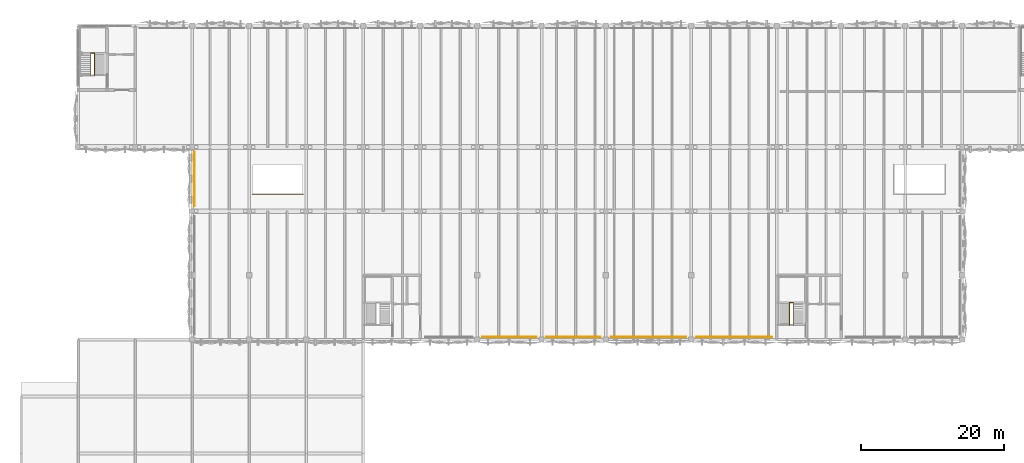
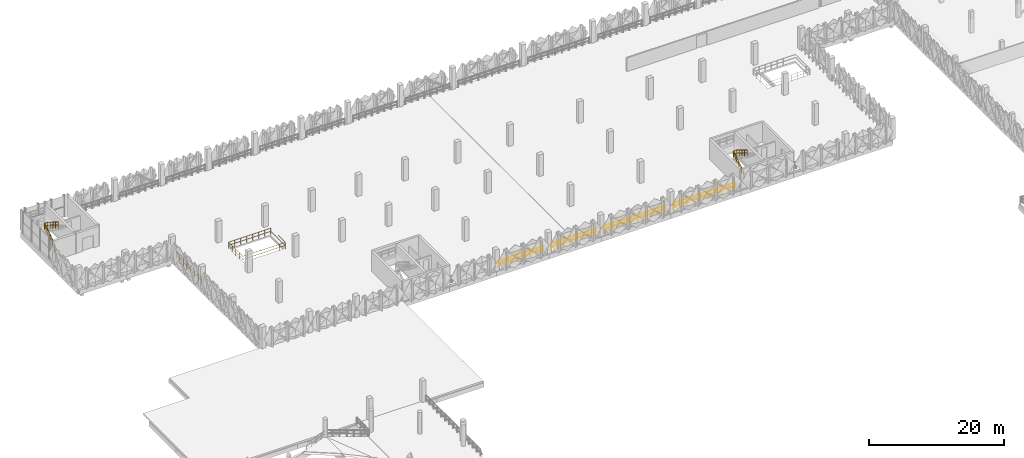
# One storey, part 69 of 76: 8 railings.
"""IFC4 building model written with IfcOpenShell, lengths in metres."""

from ifc_helpers import new_model, si_unit, derived_unit, direction, frame, origin, origin_2d, place, context, subcontext, project, spatial, circle, extrude, material, type_object, element, save


model = new_model("IFC4")

# Units and contexts
model_context = context("Model", 3, precision=1e-05, world=origin(), true_north=direction((0.0, 1.0)))
body_context = subcontext(model_context, "Body", "Model", "MODEL_VIEW")
ifc_project = project(units=[si_unit("LENGTHUNIT", "METRE"), si_unit("AREAUNIT", "SQUARE_METRE"), si_unit("VOLUMEUNIT", "CUBIC_METRE"), si_unit("PLANEANGLEUNIT", "RADIAN"), si_unit("MASSUNIT", "GRAM", prefix="KILO"), si_unit("THERMODYNAMICTEMPERATUREUNIT", "KELVIN"), derived_unit("THERMALTRANSMITTANCEUNIT", [(si_unit("POWERUNIT", "WATT"), 1), (si_unit("AREAUNIT", "SQUARE_METRE"), -1), (si_unit("THERMODYNAMICTEMPERATUREUNIT", "KELVIN"), -1)])], contexts=[model_context])

# Site, building, storey
site_placement = place(None, origin())
site = spatial("IfcSite", under=ifc_project, at=site_placement, CompositionType="ELEMENT")
building_placement = place(site_placement, origin())
building = spatial("IfcBuilding", under=site, at=building_placement, Name="Haiyu Intermodal Mobility Hub", CompositionType="ELEMENT")
storey_placement = place(building_placement, frame((0.0, 0.0, 17.300048828125)))
storey = spatial("IfcBuildingStorey", under=building, at=storey_placement, Name="L04", CompositionType="ELEMENT", Elevation=17.300048828125)

# Railings
ifc_material = material(Name="Steel Q355C", Category="steel")
railing_type_1 = type_object("IfcRailingType", Name="RAL-GR01", PredefinedType="GUARDRAIL", material=ifc_material)
railing_1_placement = place(storey_placement, frame((38.340087890625, 130.300048828125, 0.0)))
element("IfcRailing", 1, at=railing_1_placement, inside=storey, type_object=railing_type_1, Name="RAL-CAR-WS-0090", PredefinedType="GUARDRAIL", context=body_context, shape_type="SweptSolid", body=[
    extrude(circle(Radius=0.02392578125, at=origin_2d()), frame((0.0, -0.030029296875, 1.17578125), z_axis=(0.0, -1.0, 0.0), x_axis=(1.0, 0.0, 0.0)), (0.0, 0.0, 1.0), 7.5400390625),
    extrude(circle(Radius=0.02392578125, at=origin_2d()), frame((0.0, -0.037353515625, 0.60009765625), z_axis=(0.0, -1.0, 0.0), x_axis=(1.0, 0.0, 0.0)), (0.0, 0.0, 1.0), 1.01123046875),
    extrude(circle(Radius=0.02392578125, at=origin_2d()), frame((0.0, -1.123046875, 0.60009765625), z_axis=(0.0, -1.0, 0.0), x_axis=(1.0, 0.0, 0.0)), (0.0, 0.0, 1.0), 1.01123046875),
    extrude(circle(Radius=0.02392578125, at=origin_2d()), frame((0.0, -2.208740234375, 0.60009765625), z_axis=(0.0, -1.0, 0.0), x_axis=(1.0, 0.0, 0.0)), (0.0, 0.0, 1.0), 1.01123046875),
    extrude(circle(Radius=0.02392578125, at=origin_2d()), frame((0.0, -3.29443359375, 0.60009765625), z_axis=(0.0, -1.0, 0.0), x_axis=(1.0, 0.0, 0.0)), (0.0, 0.0, 1.0), 1.01123046875),
    extrude(circle(Radius=0.02392578125, at=origin_2d()), frame((0.0, -4.380126953125, 0.60009765625), z_axis=(0.0, -1.0, 0.0), x_axis=(1.0, 0.0, 0.0)), (0.0, 0.0, 1.0), 1.01123046875),
    extrude(circle(Radius=0.02392578125, at=origin_2d()), frame((0.0, -5.4658203125, 0.60009765625), z_axis=(0.0, -1.0, 0.0), x_axis=(1.0, 0.0, 0.0)), (0.0, 0.0, 1.0), 1.01123046875),
    extrude(circle(Radius=0.02392578125, at=origin_2d()), frame((0.0, -6.5517578125, 0.60009765625), z_axis=(0.0, -1.0, 0.0), x_axis=(1.0, 0.0, 0.0)), (0.0, 0.0, 1.0), 1.01123046875),
    extrude(circle(Radius=0.02099609375, at=origin_2d()), origin(), (0.0, 0.0, 1.0), 1.143798828125),
    extrude(circle(Radius=0.02099609375, at=origin_2d()), frame((0.0, -1.085693359375, 0.0)), (0.0, 0.0, 1.0), 1.143798828125),
    extrude(circle(Radius=0.02099609375, at=origin_2d()), frame((0.0, -2.17138671875, 0.0)), (0.0, 0.0, 1.0), 1.143798828125),
    extrude(circle(Radius=0.02099609375, at=origin_2d()), frame((0.0, -3.257080078125, 0.0)), (0.0, 0.0, 1.0), 1.143798828125),
    extrude(circle(Radius=0.02099609375, at=origin_2d()), frame((0.0, -4.343017578125, 0.0)), (0.0, 0.0, 1.0), 1.143798828125),
    extrude(circle(Radius=0.02099609375, at=origin_2d()), frame((0.0, -5.4287109375, 0.0)), (0.0, 0.0, 1.0), 1.143798828125),
    extrude(circle(Radius=0.02099609375, at=origin_2d()), frame((0.0, -6.514404296875, 0.0)), (0.0, 0.0, 1.0), 1.143798828125),
    extrude(circle(Radius=0.02099609375, at=origin_2d()), frame((0.0, -7.60009765625, 0.0)), (0.0, 0.0, 1.0), 1.143798828125),
])
railing_2_placement = place(storey_placement, frame((78.699951171875, 104.340087890625, 0.0)))
element("IfcRailing", 2, at=railing_2_placement, inside=storey, type_object=railing_type_1, Name="RAL-CAR-S-0118", PredefinedType="GUARDRAIL", context=body_context, shape_type="SweptSolid", body=[
    extrude(circle(Radius=0.02392578125, at=origin_2d()), frame((0.030029296875, 0.0, 1.17578125), z_axis=(1.0, 0.0, 0.0), x_axis=(0.0, 1.0, 0.0)), (0.0, 0.0, 1.0), 7.5400390625),
    extrude(circle(Radius=0.02392578125, at=origin_2d()), frame((0.037353515625, 0.0, 0.60009765625), z_axis=(1.0, 0.0, 0.0), x_axis=(0.0, 1.0, 0.0)), (0.0, 0.0, 1.0), 1.01123046875),
    extrude(circle(Radius=0.02392578125, at=origin_2d()), frame((1.123046875, 0.0, 0.60009765625), z_axis=(1.0, 0.0, 0.0), x_axis=(0.0, 1.0, 0.0)), (0.0, 0.0, 1.0), 1.01123046875),
    extrude(circle(Radius=0.02392578125, at=origin_2d()), frame((2.208740234375, 0.0, 0.60009765625), z_axis=(1.0, 0.0, 0.0), x_axis=(0.0, 1.0, 0.0)), (0.0, 0.0, 1.0), 1.01123046875),
    extrude(circle(Radius=0.02392578125, at=origin_2d()), frame((3.29443359375, 0.0, 0.60009765625), z_axis=(1.0, 0.0, 0.0), x_axis=(0.0, 1.0, 0.0)), (0.0, 0.0, 1.0), 1.01123046875),
    extrude(circle(Radius=0.02392578125, at=origin_2d()), frame((4.380126953125, 0.0, 0.60009765625), z_axis=(1.0, 0.0, 0.0), x_axis=(0.0, 1.0, 0.0)), (0.0, 0.0, 1.0), 1.01123046875),
    extrude(circle(Radius=0.02392578125, at=origin_2d()), frame((5.4658203125, 0.0, 0.60009765625), z_axis=(1.0, 0.0, 0.0), x_axis=(0.0, 1.0, 0.0)), (0.0, 0.0, 1.0), 1.01123046875),
    extrude(circle(Radius=0.02392578125, at=origin_2d()), frame((6.5517578125, 0.0, 0.60009765625), z_axis=(1.0, 0.0, 0.0), x_axis=(0.0, 1.0, 0.0)), (0.0, 0.0, 1.0), 1.01123046875),
    extrude(circle(Radius=0.02099609375, at=origin_2d()), origin(), (0.0, 0.0, 1.0), 1.143798828125),
    extrude(circle(Radius=0.02099609375, at=origin_2d()), frame((1.085693359375, 0.0, 0.0)), (0.0, 0.0, 1.0), 1.143798828125),
    extrude(circle(Radius=0.02099609375, at=origin_2d()), frame((2.17138671875, 0.0, 0.0)), (0.0, 0.0, 1.0), 1.143798828125),
    extrude(circle(Radius=0.02099609375, at=origin_2d()), frame((3.257080078125, 0.0, 0.0)), (0.0, 0.0, 1.0), 1.143798828125),
    extrude(circle(Radius=0.02099609375, at=origin_2d()), frame((4.343017578125, 0.0, 0.0)), (0.0, 0.0, 1.0), 1.143798828125),
    extrude(circle(Radius=0.02099609375, at=origin_2d()), frame((5.4287109375, 0.0, 0.0)), (0.0, 0.0, 1.0), 1.143798828125),
    extrude(circle(Radius=0.02099609375, at=origin_2d()), frame((6.514404296875, 0.0, 0.0)), (0.0, 0.0, 1.0), 1.143798828125),
    extrude(circle(Radius=0.02099609375, at=origin_2d()), frame((7.60009765625, 0.0, 0.0)), (0.0, 0.0, 1.0), 1.143798828125),
])
railing_3_placement = place(storey_placement, frame((87.699951171875, 104.340087890625, 0.0)))
element("IfcRailing", 3, at=railing_3_placement, inside=storey, type_object=railing_type_1, Name="RAL-CAR-S-0123", PredefinedType="GUARDRAIL", context=body_context, shape_type="SweptSolid", body=[
    extrude(circle(Radius=0.02392578125, at=origin_2d()), frame((0.030029296875, 0.0, 1.17578125), z_axis=(1.0, 0.0, 0.0), x_axis=(0.0, 1.0, 0.0)), (0.0, 0.0, 1.0), 7.5400390625),
    extrude(circle(Radius=0.02392578125, at=origin_2d()), frame((0.037353515625, 0.0, 0.60009765625), z_axis=(1.0, 0.0, 0.0), x_axis=(0.0, 1.0, 0.0)), (0.0, 0.0, 1.0), 1.01123046875),
    extrude(circle(Radius=0.02392578125, at=origin_2d()), frame((1.123046875, 0.0, 0.60009765625), z_axis=(1.0, 0.0, 0.0), x_axis=(0.0, 1.0, 0.0)), (0.0, 0.0, 1.0), 1.01123046875),
    extrude(circle(Radius=0.02392578125, at=origin_2d()), frame((2.208740234375, 0.0, 0.60009765625), z_axis=(1.0, 0.0, 0.0), x_axis=(0.0, 1.0, 0.0)), (0.0, 0.0, 1.0), 1.01123046875),
    extrude(circle(Radius=0.02392578125, at=origin_2d()), frame((3.29443359375, 0.0, 0.60009765625), z_axis=(1.0, 0.0, 0.0), x_axis=(0.0, 1.0, 0.0)), (0.0, 0.0, 1.0), 1.01123046875),
    extrude(circle(Radius=0.02392578125, at=origin_2d()), frame((4.380126953125, 0.0, 0.60009765625), z_axis=(1.0, 0.0, 0.0), x_axis=(0.0, 1.0, 0.0)), (0.0, 0.0, 1.0), 1.01123046875),
    extrude(circle(Radius=0.02392578125, at=origin_2d()), frame((5.4658203125, 0.0, 0.60009765625), z_axis=(1.0, 0.0, 0.0), x_axis=(0.0, 1.0, 0.0)), (0.0, 0.0, 1.0), 1.01123046875),
    extrude(circle(Radius=0.02392578125, at=origin_2d()), frame((6.5517578125, 0.0, 0.60009765625), z_axis=(1.0, 0.0, 0.0), x_axis=(0.0, 1.0, 0.0)), (0.0, 0.0, 1.0), 1.01123046875),
    extrude(circle(Radius=0.02099609375, at=origin_2d()), origin(), (0.0, 0.0, 1.0), 1.143798828125),
    extrude(circle(Radius=0.02099609375, at=origin_2d()), frame((1.085693359375, 0.0, 0.0)), (0.0, 0.0, 1.0), 1.143798828125),
    extrude(circle(Radius=0.02099609375, at=origin_2d()), frame((2.17138671875, 0.0, 0.0)), (0.0, 0.0, 1.0), 1.143798828125),
    extrude(circle(Radius=0.02099609375, at=origin_2d()), frame((3.257080078125, 0.0, 0.0)), (0.0, 0.0, 1.0), 1.143798828125),
    extrude(circle(Radius=0.02099609375, at=origin_2d()), frame((4.343017578125, 0.0, 0.0)), (0.0, 0.0, 1.0), 1.143798828125),
    extrude(circle(Radius=0.02099609375, at=origin_2d()), frame((5.4287109375, 0.0, 0.0)), (0.0, 0.0, 1.0), 1.143798828125),
    extrude(circle(Radius=0.02099609375, at=origin_2d()), frame((6.514404296875, 0.0, 0.0)), (0.0, 0.0, 1.0), 1.143798828125),
    extrude(circle(Radius=0.02099609375, at=origin_2d()), frame((7.60009765625, 0.0, 0.0)), (0.0, 0.0, 1.0), 1.143798828125),
])
railing_4_placement = place(storey_placement, frame((96.699951171875, 104.340087890625, 0.0)))
element("IfcRailing", 4, at=railing_4_placement, inside=storey, type_object=railing_type_1, Name="RAL-CAR-S-0129", PredefinedType="GUARDRAIL", context=body_context, shape_type="SweptSolid", body=[
    extrude(circle(Radius=0.02392578125, at=origin_2d()), frame((0.030029296875, 0.0, 1.17578125), z_axis=(1.0, 0.0, 0.0), x_axis=(0.0, 1.0, 0.0)), (0.0, 0.0, 1.0), 10.5400390625),
    extrude(circle(Radius=0.02392578125, at=origin_2d()), frame((0.037353515625, 0.0, 0.60009765625), z_axis=(1.0, 0.0, 0.0), x_axis=(0.0, 1.0, 0.0)), (0.0, 0.0, 1.0), 1.103271484375),
    extrude(circle(Radius=0.02392578125, at=origin_2d()), frame((1.215087890625, 0.0, 0.60009765625), z_axis=(1.0, 0.0, 0.0), x_axis=(0.0, 1.0, 0.0)), (0.0, 0.0, 1.0), 1.103271484375),
    extrude(circle(Radius=0.02392578125, at=origin_2d()), frame((2.392822265625, 0.0, 0.60009765625), z_axis=(1.0, 0.0, 0.0), x_axis=(0.0, 1.0, 0.0)), (0.0, 0.0, 1.0), 1.103271484375),
    extrude(circle(Radius=0.02392578125, at=origin_2d()), frame((3.570556640625, 0.0, 0.60009765625), z_axis=(1.0, 0.0, 0.0), x_axis=(0.0, 1.0, 0.0)), (0.0, 0.0, 1.0), 1.103271484375),
    extrude(circle(Radius=0.02392578125, at=origin_2d()), frame((4.74853515625, 0.0, 0.60009765625), z_axis=(1.0, 0.0, 0.0), x_axis=(0.0, 1.0, 0.0)), (0.0, 0.0, 1.0), 1.103271484375),
    extrude(circle(Radius=0.02392578125, at=origin_2d()), frame((5.92626953125, 0.0, 0.60009765625), z_axis=(1.0, 0.0, 0.0), x_axis=(0.0, 1.0, 0.0)), (0.0, 0.0, 1.0), 1.103271484375),
    extrude(circle(Radius=0.02392578125, at=origin_2d()), frame((7.10400390625, 0.0, 0.60009765625), z_axis=(1.0, 0.0, 0.0), x_axis=(0.0, 1.0, 0.0)), (0.0, 0.0, 1.0), 1.103271484375),
    extrude(circle(Radius=0.02392578125, at=origin_2d()), frame((8.28173828125, 0.0, 0.60009765625), z_axis=(1.0, 0.0, 0.0), x_axis=(0.0, 1.0, 0.0)), (0.0, 0.0, 1.0), 1.103271484375),
    extrude(circle(Radius=0.02392578125, at=origin_2d()), frame((9.459716796875, 0.0, 0.60009765625), z_axis=(1.0, 0.0, 0.0), x_axis=(0.0, 1.0, 0.0)), (0.0, 0.0, 1.0), 1.103271484375),
    extrude(circle(Radius=0.02099609375, at=origin_2d()), origin(), (0.0, 0.0, 1.0), 1.143798828125),
    extrude(circle(Radius=0.02099609375, at=origin_2d()), frame((1.177734375, 0.0, 0.0)), (0.0, 0.0, 1.0), 1.143798828125),
    extrude(circle(Radius=0.02099609375, at=origin_2d()), frame((2.35546875, 0.0, 0.0)), (0.0, 0.0, 1.0), 1.143798828125),
    extrude(circle(Radius=0.02099609375, at=origin_2d()), frame((3.533447265625, 0.0, 0.0)), (0.0, 0.0, 1.0), 1.143798828125),
    extrude(circle(Radius=0.02099609375, at=origin_2d()), frame((4.711181640625, 0.0, 0.0)), (0.0, 0.0, 1.0), 1.143798828125),
    extrude(circle(Radius=0.02099609375, at=origin_2d()), frame((5.888916015625, 0.0, 0.0)), (0.0, 0.0, 1.0), 1.143798828125),
    extrude(circle(Radius=0.02099609375, at=origin_2d()), frame((7.066650390625, 0.0, 0.0)), (0.0, 0.0, 1.0), 1.143798828125),
    extrude(circle(Radius=0.02099609375, at=origin_2d()), frame((8.24462890625, 0.0, 0.0)), (0.0, 0.0, 1.0), 1.143798828125),
    extrude(circle(Radius=0.02099609375, at=origin_2d()), frame((9.42236328125, 0.0, 0.0)), (0.0, 0.0, 1.0), 1.143798828125),
    extrude(circle(Radius=0.02099609375, at=origin_2d()), frame((10.60009765625, 0.0, 0.0)), (0.0, 0.0, 1.0), 1.143798828125),
])
railing_5_placement = place(storey_placement, frame((108.699951171875, 104.340087890625, 0.0)))
element("IfcRailing", 5, at=railing_5_placement, inside=storey, type_object=railing_type_1, Name="RAL-CAR-S-0135", PredefinedType="GUARDRAIL", context=body_context, shape_type="SweptSolid", body=[
    extrude(circle(Radius=0.02392578125, at=origin_2d()), frame((0.030029296875, 0.0, 1.17578125), z_axis=(1.0, 0.0, 0.0), x_axis=(0.0, 1.0, 0.0)), (0.0, 0.0, 1.0), 10.5400390625),
    extrude(circle(Radius=0.02392578125, at=origin_2d()), frame((0.037353515625, 0.0, 0.60009765625), z_axis=(1.0, 0.0, 0.0), x_axis=(0.0, 1.0, 0.0)), (0.0, 0.0, 1.0), 1.103271484375),
    extrude(circle(Radius=0.02392578125, at=origin_2d()), frame((1.215087890625, 0.0, 0.60009765625), z_axis=(1.0, 0.0, 0.0), x_axis=(0.0, 1.0, 0.0)), (0.0, 0.0, 1.0), 1.103271484375),
    extrude(circle(Radius=0.02392578125, at=origin_2d()), frame((2.392822265625, 0.0, 0.60009765625), z_axis=(1.0, 0.0, 0.0), x_axis=(0.0, 1.0, 0.0)), (0.0, 0.0, 1.0), 1.103271484375),
    extrude(circle(Radius=0.02392578125, at=origin_2d()), frame((3.570556640625, 0.0, 0.60009765625), z_axis=(1.0, 0.0, 0.0), x_axis=(0.0, 1.0, 0.0)), (0.0, 0.0, 1.0), 1.103271484375),
    extrude(circle(Radius=0.02392578125, at=origin_2d()), frame((4.74853515625, 0.0, 0.60009765625), z_axis=(1.0, 0.0, 0.0), x_axis=(0.0, 1.0, 0.0)), (0.0, 0.0, 1.0), 1.103271484375),
    extrude(circle(Radius=0.02392578125, at=origin_2d()), frame((5.92626953125, 0.0, 0.60009765625), z_axis=(1.0, 0.0, 0.0), x_axis=(0.0, 1.0, 0.0)), (0.0, 0.0, 1.0), 1.103271484375),
    extrude(circle(Radius=0.02392578125, at=origin_2d()), frame((7.10400390625, 0.0, 0.60009765625), z_axis=(1.0, 0.0, 0.0), x_axis=(0.0, 1.0, 0.0)), (0.0, 0.0, 1.0), 1.103271484375),
    extrude(circle(Radius=0.02392578125, at=origin_2d()), frame((8.28173828125, 0.0, 0.60009765625), z_axis=(1.0, 0.0, 0.0), x_axis=(0.0, 1.0, 0.0)), (0.0, 0.0, 1.0), 1.103271484375),
    extrude(circle(Radius=0.02392578125, at=origin_2d()), frame((9.459716796875, 0.0, 0.60009765625), z_axis=(1.0, 0.0, 0.0), x_axis=(0.0, 1.0, 0.0)), (0.0, 0.0, 1.0), 1.103271484375),
    extrude(circle(Radius=0.02099609375, at=origin_2d()), origin(), (0.0, 0.0, 1.0), 1.143798828125),
    extrude(circle(Radius=0.02099609375, at=origin_2d()), frame((1.177734375, 0.0, 0.0)), (0.0, 0.0, 1.0), 1.143798828125),
    extrude(circle(Radius=0.02099609375, at=origin_2d()), frame((2.35546875, 0.0, 0.0)), (0.0, 0.0, 1.0), 1.143798828125),
    extrude(circle(Radius=0.02099609375, at=origin_2d()), frame((3.533447265625, 0.0, 0.0)), (0.0, 0.0, 1.0), 1.143798828125),
    extrude(circle(Radius=0.02099609375, at=origin_2d()), frame((4.711181640625, 0.0, 0.0)), (0.0, 0.0, 1.0), 1.143798828125),
    extrude(circle(Radius=0.02099609375, at=origin_2d()), frame((5.888916015625, 0.0, 0.0)), (0.0, 0.0, 1.0), 1.143798828125),
    extrude(circle(Radius=0.02099609375, at=origin_2d()), frame((7.066650390625, 0.0, 0.0)), (0.0, 0.0, 1.0), 1.143798828125),
    extrude(circle(Radius=0.02099609375, at=origin_2d()), frame((8.24462890625, 0.0, 0.0)), (0.0, 0.0, 1.0), 1.143798828125),
    extrude(circle(Radius=0.02099609375, at=origin_2d()), frame((9.42236328125, 0.0, 0.0)), (0.0, 0.0, 1.0), 1.143798828125),
    extrude(circle(Radius=0.02099609375, at=origin_2d()), frame((10.60009765625, 0.0, 0.0)), (0.0, 0.0, 1.0), 1.143798828125),
])
railing_6_placement = place(storey_placement, frame((46.3798828125, 124.3798828125, 0.0)))
element("IfcRailing", 6, at=railing_6_placement, inside=storey, type_object=railing_type_1, Name="RAL-V4VOID-L04-W", PredefinedType="GUARDRAIL", context=body_context, shape_type="SweptSolid", body=[
    extrude(circle(Radius=0.02392578125, at=origin_2d()), frame((0.030029296875, 0.0, 1.15576171875), z_axis=(1.0, 0.0, 0.0), x_axis=(0.0, 1.0, 0.0)), (0.0, 0.0, 1.0), 7.18017578125),
    extrude(circle(Radius=0.02392578125, at=origin_2d()), frame((0.037353515625, 0.0, 0.58984375), z_axis=(1.0, 0.0, 0.0), x_axis=(0.0, 1.0, 0.0)), (0.0, 0.0, 1.0), 0.959716796875),
    extrude(circle(Radius=0.02392578125, at=origin_2d()), frame((1.071533203125, 0.0, 0.58984375), z_axis=(1.0, 0.0, 0.0), x_axis=(0.0, 1.0, 0.0)), (0.0, 0.0, 1.0), 0.959716796875),
    extrude(circle(Radius=0.02392578125, at=origin_2d()), frame((2.10595703125, 0.0, 0.58984375), z_axis=(1.0, 0.0, 0.0), x_axis=(0.0, 1.0, 0.0)), (0.0, 0.0, 1.0), 0.959716796875),
    extrude(circle(Radius=0.02392578125, at=origin_2d()), frame((3.14013671875, 0.0, 0.58984375), z_axis=(1.0, 0.0, 0.0), x_axis=(0.0, 1.0, 0.0)), (0.0, 0.0, 1.0), 0.959716796875),
    extrude(circle(Radius=0.02392578125, at=origin_2d()), frame((4.174560546875, 0.0, 0.58984375), z_axis=(1.0, 0.0, 0.0), x_axis=(0.0, 1.0, 0.0)), (0.0, 0.0, 1.0), 0.959716796875),
    extrude(circle(Radius=0.02392578125, at=origin_2d()), frame((5.208984375, 0.0, 0.58984375), z_axis=(1.0, 0.0, 0.0), x_axis=(0.0, 1.0, 0.0)), (0.0, 0.0, 1.0), 0.959716796875),
    extrude(circle(Radius=0.02392578125, at=origin_2d()), frame((6.2431640625, 0.0, 0.58984375), z_axis=(1.0, 0.0, 0.0), x_axis=(0.0, 1.0, 0.0)), (0.0, 0.0, 1.0), 0.959716796875),
    extrude(circle(Radius=0.02392578125, at=origin_2d()), frame((7.240234375, 0.030029296875, 1.15576171875), z_axis=(0.0, 1.0, 0.0), x_axis=(-1.0, 0.0, 0.0)), (0.0, 0.0, 1.0), 4.18017578125),
    extrude(circle(Radius=0.02392578125, at=origin_2d()), frame((7.240234375, 0.037353515625, 0.58984375), z_axis=(0.0, 1.0, 0.0), x_axis=(-1.0, 0.0, 0.0)), (0.0, 0.0, 1.0), 0.9853515625),
    extrude(circle(Radius=0.02392578125, at=origin_2d()), frame((7.240234375, 1.097412109375, 0.58984375), z_axis=(0.0, 1.0, 0.0), x_axis=(-1.0, 0.0, 0.0)), (0.0, 0.0, 1.0), 0.9853515625),
    extrude(circle(Radius=0.02392578125, at=origin_2d()), frame((7.240234375, 2.157470703125, 0.58984375), z_axis=(0.0, 1.0, 0.0), x_axis=(-1.0, 0.0, 0.0)), (0.0, 0.0, 1.0), 0.9853515625),
    extrude(circle(Radius=0.02392578125, at=origin_2d()), frame((7.240234375, 3.217529296875, 0.58984375), z_axis=(0.0, 1.0, 0.0), x_axis=(-1.0, 0.0, 0.0)), (0.0, 0.0, 1.0), 0.9853515625),
    extrude(circle(Radius=0.02392578125, at=origin_2d()), frame((7.210205078125, 4.240234375, 1.15576171875), z_axis=(-1.0, 0.0, 0.0), x_axis=(0.0, -1.0, 0.0)), (0.0, 0.0, 1.0), 7.18017578125),
    extrude(circle(Radius=0.02392578125, at=origin_2d()), frame((7.202880859375, 4.240234375, 0.58984375), z_axis=(-1.0, 0.0, 0.0), x_axis=(0.0, -1.0, 0.0)), (0.0, 0.0, 1.0), 0.959716796875),
    extrude(circle(Radius=0.02392578125, at=origin_2d()), frame((6.168701171875, 4.240234375, 0.58984375), z_axis=(-1.0, 0.0, 0.0), x_axis=(0.0, -1.0, 0.0)), (0.0, 0.0, 1.0), 0.959716796875),
    extrude(circle(Radius=0.02392578125, at=origin_2d()), frame((5.13427734375, 4.240234375, 0.58984375), z_axis=(-1.0, 0.0, 0.0), x_axis=(0.0, -1.0, 0.0)), (0.0, 0.0, 1.0), 0.959716796875),
    extrude(circle(Radius=0.02392578125, at=origin_2d()), frame((4.10009765625, 4.240234375, 0.58984375), z_axis=(-1.0, 0.0, 0.0), x_axis=(0.0, -1.0, 0.0)), (0.0, 0.0, 1.0), 0.959716796875),
    extrude(circle(Radius=0.02392578125, at=origin_2d()), frame((3.065673828125, 4.240234375, 0.58984375), z_axis=(-1.0, 0.0, 0.0), x_axis=(0.0, -1.0, 0.0)), (0.0, 0.0, 1.0), 0.959716796875),
    extrude(circle(Radius=0.02392578125, at=origin_2d()), frame((2.03125, 4.240234375, 0.58984375), z_axis=(-1.0, 0.0, 0.0), x_axis=(0.0, -1.0, 0.0)), (0.0, 0.0, 1.0), 0.959716796875),
    extrude(circle(Radius=0.02392578125, at=origin_2d()), frame((0.9970703125, 4.240234375, 0.58984375), z_axis=(-1.0, 0.0, 0.0), x_axis=(0.0, -1.0, 0.0)), (0.0, 0.0, 1.0), 0.959716796875),
    extrude(circle(Radius=0.02392578125, at=origin_2d()), frame((0.0, 4.210205078125, 1.15576171875), z_axis=(0.0, -1.0, 0.0), x_axis=(1.0, 0.0, 0.0)), (0.0, 0.0, 1.0), 4.18017578125),
    extrude(circle(Radius=0.02392578125, at=origin_2d()), frame((0.0, 4.202880859375, 0.58984375), z_axis=(0.0, -1.0, 0.0), x_axis=(1.0, 0.0, 0.0)), (0.0, 0.0, 1.0), 0.9853515625),
    extrude(circle(Radius=0.02392578125, at=origin_2d()), frame((0.0, 3.142822265625, 0.58984375), z_axis=(0.0, -1.0, 0.0), x_axis=(1.0, 0.0, 0.0)), (0.0, 0.0, 1.0), 0.9853515625),
    extrude(circle(Radius=0.02392578125, at=origin_2d()), frame((0.0, 2.082763671875, 0.58984375), z_axis=(0.0, -1.0, 0.0), x_axis=(1.0, 0.0, 0.0)), (0.0, 0.0, 1.0), 0.9853515625),
    extrude(circle(Radius=0.02392578125, at=origin_2d()), frame((0.0, 1.022705078125, 0.58984375), z_axis=(0.0, -1.0, 0.0), x_axis=(1.0, 0.0, 0.0)), (0.0, 0.0, 1.0), 0.9853515625),
    extrude(circle(Radius=0.02099609375, at=origin_2d()), origin(), (0.0, 0.0, 1.0), 1.123779296875),
    extrude(circle(Radius=0.02099609375, at=origin_2d()), frame((1.034423828125, 0.0, 0.0)), (0.0, 0.0, 1.0), 1.123779296875),
    extrude(circle(Radius=0.02099609375, at=origin_2d()), frame((2.068603515625, 0.0, 0.0)), (0.0, 0.0, 1.0), 1.123779296875),
    extrude(circle(Radius=0.02099609375, at=origin_2d()), frame((3.10302734375, 0.0, 0.0)), (0.0, 0.0, 1.0), 1.123779296875),
    extrude(circle(Radius=0.02099609375, at=origin_2d()), frame((4.13720703125, 0.0, 0.0)), (0.0, 0.0, 1.0), 1.123779296875),
    extrude(circle(Radius=0.02099609375, at=origin_2d()), frame((5.171630859375, 0.0, 0.0)), (0.0, 0.0, 1.0), 1.123779296875),
    extrude(circle(Radius=0.02099609375, at=origin_2d()), frame((6.205810546875, 0.0, 0.0)), (0.0, 0.0, 1.0), 1.123779296875),
    extrude(circle(Radius=0.02099609375, at=origin_2d()), frame((7.240234375, 0.0, 0.0)), (0.0, 0.0, 1.0), 1.123779296875),
    extrude(circle(Radius=0.02099609375, at=origin_2d()), frame((7.240234375, 1.06005859375, 0.0)), (0.0, 0.0, 1.0), 1.123779296875),
    extrude(circle(Radius=0.02099609375, at=origin_2d()), frame((7.240234375, 2.1201171875, 0.0)), (0.0, 0.0, 1.0), 1.123779296875),
    extrude(circle(Radius=0.02099609375, at=origin_2d()), frame((7.240234375, 3.18017578125, 0.0)), (0.0, 0.0, 1.0), 1.123779296875),
    extrude(circle(Radius=0.02099609375, at=origin_2d()), frame((7.240234375, 4.240234375, 0.0)), (0.0, 0.0, 1.0), 1.123779296875),
    extrude(circle(Radius=0.02099609375, at=origin_2d()), frame((6.205810546875, 4.240234375, 0.0)), (0.0, 0.0, 1.0), 1.123779296875),
    extrude(circle(Radius=0.02099609375, at=origin_2d()), frame((5.171630859375, 4.240234375, 0.0)), (0.0, 0.0, 1.0), 1.123779296875),
    extrude(circle(Radius=0.02099609375, at=origin_2d()), frame((4.13720703125, 4.240234375, 0.0)), (0.0, 0.0, 1.0), 1.123779296875),
    extrude(circle(Radius=0.02099609375, at=origin_2d()), frame((3.10302734375, 4.240234375, 0.0)), (0.0, 0.0, 1.0), 1.123779296875),
    extrude(circle(Radius=0.02099609375, at=origin_2d()), frame((2.068603515625, 4.240234375, 0.0)), (0.0, 0.0, 1.0), 1.123779296875),
    extrude(circle(Radius=0.02099609375, at=origin_2d()), frame((1.034423828125, 4.240234375, 0.0)), (0.0, 0.0, 1.0), 1.123779296875),
    extrude(circle(Radius=0.02099609375, at=origin_2d()), frame((0.0, 4.240234375, 0.0)), (0.0, 0.0, 1.0), 1.123779296875),
    extrude(circle(Radius=0.02099609375, at=origin_2d()), frame((0.0, 3.18017578125, 0.0)), (0.0, 0.0, 1.0), 1.123779296875),
    extrude(circle(Radius=0.02099609375, at=origin_2d()), frame((0.0, 2.1201171875, 0.0)), (0.0, 0.0, 1.0), 1.123779296875),
    extrude(circle(Radius=0.02099609375, at=origin_2d()), frame((0.0, 1.06005859375, 0.0)), (0.0, 0.0, 1.0), 1.123779296875),
])
railing_type_2 = type_object("IfcRailingType", Name="RAL-GR03", PredefinedType="GUARDRAIL", material=ifc_material)
railing_7_placement = place(storey_placement, frame((23.780029296875, 141.050048828125, 0.0)))
element("IfcRailing", 7, at=railing_7_placement, inside=storey, type_object=railing_type_2, Name="Stair Well Guard STR-C3-L04", PredefinedType="GUARDRAIL", context=body_context, shape_type="SweptSolid", body=[
    extrude(circle(Radius=0.02392578125, at=origin_2d()), frame((0.0, 0.025390625, 1.11181640625), z_axis=(0.0, 0.848756196164, 0.528784378999), x_axis=(-1.0, 0.0, 0.0)), (0.0, 0.0, 1.0), 3.627685546875),
    extrude(circle(Radius=0.02392578125, at=origin_2d()), frame((0.0, 0.03173828125, 0.579833984375), z_axis=(0.0, 0.848756196164, 0.528784378999), x_axis=(-1.0, 0.0, 0.0)), (0.0, 0.0, 1.0), 0.847412109375),
    extrude(circle(Radius=0.02392578125, at=origin_2d()), frame((0.0, 0.814208984375, 1.0673828125), z_axis=(0.0, 0.848756196164, 0.528784378999), x_axis=(-1.0, 0.0, 0.0)), (0.0, 0.0, 1.0), 0.847412109375),
    extrude(circle(Radius=0.02392578125, at=origin_2d()), frame((0.0, 1.5966796875, 1.5546875), z_axis=(0.0, 0.848756196164, 0.528784378999), x_axis=(-1.0, 0.0, 0.0)), (0.0, 0.0, 1.0), 0.847412109375),
    extrude(circle(Radius=0.02392578125, at=origin_2d()), frame((0.0, 2.379150390625, 2.042236328125), z_axis=(0.0, 0.848756196164, 0.528784378999), x_axis=(-1.0, 0.0, 0.0)), (0.0, 0.0, 1.0), 0.847412109375),
    extrude(circle(Radius=0.02392578125, at=origin_2d()), frame((0.030029296875, 3.1298828125, 3.0458984375), z_axis=(1.0, 0.0, 0.0), x_axis=(0.0, 1.0, 0.0)), (0.0, 0.0, 1.0), 0.469970703125),
    extrude(circle(Radius=0.02392578125, at=origin_2d()), frame((0.037353515625, 3.1298828125, 2.510009765625), z_axis=(1.0, 0.0, 0.0), x_axis=(0.0, 1.0, 0.0)), (0.0, 0.0, 1.0), 0.455322265625),
    extrude(circle(Radius=0.02392578125, at=origin_2d()), frame((0.530029296875, 3.1044921875, 3.061767578125), z_axis=(0.0, -0.848756196164, 0.528784378999), x_axis=(1.0, 0.0, 0.0)), (0.0, 0.0, 1.0), 3.627685546875),
    extrude(circle(Radius=0.02392578125, at=origin_2d()), frame((0.530029296875, 3.09814453125, 2.52978515625), z_axis=(0.0, -0.848756196164, 0.528784378999), x_axis=(1.0, 0.0, 0.0)), (0.0, 0.0, 1.0), 0.847412109375),
    extrude(circle(Radius=0.02392578125, at=origin_2d()), frame((0.530029296875, 2.315673828125, 3.017333984375), z_axis=(0.0, -0.848756196164, 0.528784378999), x_axis=(1.0, 0.0, 0.0)), (0.0, 0.0, 1.0), 0.847412109375),
    extrude(circle(Radius=0.02392578125, at=origin_2d()), frame((0.530029296875, 1.533203125, 3.504638671875), z_axis=(0.0, -0.848756196164, 0.528784378999), x_axis=(1.0, 0.0, 0.0)), (0.0, 0.0, 1.0), 0.847412109375),
    extrude(circle(Radius=0.02392578125, at=origin_2d()), frame((0.530029296875, 0.750732421875, 3.9921875), z_axis=(0.0, -0.848756196164, 0.528784378999), x_axis=(1.0, 0.0, 0.0)), (0.0, 0.0, 1.0), 0.847412109375),
    extrude(circle(Radius=0.02099609375, at=origin_2d()), origin(), (0.0, 0.0, 1.0), 1.06396484375),
    extrude(circle(Radius=0.02099609375, at=origin_2d()), frame((0.0, 0.782470703125, 0.487548828125)), (0.0, 0.0, 1.0), 1.06396484375),
    extrude(circle(Radius=0.02099609375, at=origin_2d()), frame((0.0, 1.56494140625, 0.97509765625)), (0.0, 0.0, 1.0), 1.06396484375),
    extrude(circle(Radius=0.02099609375, at=origin_2d()), frame((0.0, 2.347412109375, 1.46240234375)), (0.0, 0.0, 1.0), 1.06396484375),
    extrude(circle(Radius=0.02099609375, at=origin_2d()), frame((0.0, 3.1298828125, 1.949951171875)), (0.0, 0.0, 1.0), 1.06396484375),
    extrude(circle(Radius=0.02099609375, at=origin_2d()), frame((0.530029296875, 3.1298828125, 1.949951171875)), (0.0, 0.0, 1.0), 1.06396484375),
    extrude(circle(Radius=0.02099609375, at=origin_2d()), frame((0.530029296875, 2.347412109375, 2.4375)), (0.0, 0.0, 1.0), 1.06396484375),
    extrude(circle(Radius=0.02099609375, at=origin_2d()), frame((0.530029296875, 1.56494140625, 2.9248046875)), (0.0, 0.0, 1.0), 1.06396484375),
    extrude(circle(Radius=0.02099609375, at=origin_2d()), frame((0.530029296875, 0.782470703125, 3.412353515625)), (0.0, 0.0, 1.0), 1.06396484375),
    extrude(circle(Radius=0.02099609375, at=origin_2d()), frame((0.530029296875, 0.0, 3.89990234375)), (0.0, 0.0, 1.0), 1.06396484375),
])
railing_8_placement = place(storey_placement, frame((121.780029296875, 106.050048828125, 0.0)))
element("IfcRailing", 8, at=railing_8_placement, inside=storey, type_object=railing_type_2, Name="Stair Well Guard STR-C6-L04", PredefinedType="GUARDRAIL", context=body_context, shape_type="SweptSolid", body=[
    extrude(circle(Radius=0.02392578125, at=origin_2d()), frame((0.0, 0.025390625, 1.11181640625), z_axis=(0.0, 0.848756196164, 0.528784378999), x_axis=(-1.0, 0.0, 0.0)), (0.0, 0.0, 1.0), 3.627685546875),
    extrude(circle(Radius=0.02392578125, at=origin_2d()), frame((0.0, 0.03173828125, 0.579833984375), z_axis=(0.0, 0.848756196164, 0.528784378999), x_axis=(-1.0, 0.0, 0.0)), (0.0, 0.0, 1.0), 0.847412109375),
    extrude(circle(Radius=0.02392578125, at=origin_2d()), frame((0.0, 0.814208984375, 1.0673828125), z_axis=(0.0, 0.848756196164, 0.528784378999), x_axis=(-1.0, 0.0, 0.0)), (0.0, 0.0, 1.0), 0.847412109375),
    extrude(circle(Radius=0.02392578125, at=origin_2d()), frame((0.0, 1.5966796875, 1.5546875), z_axis=(0.0, 0.848756196164, 0.528784378999), x_axis=(-1.0, 0.0, 0.0)), (0.0, 0.0, 1.0), 0.847412109375),
    extrude(circle(Radius=0.02392578125, at=origin_2d()), frame((0.0, 2.379150390625, 2.042236328125), z_axis=(0.0, 0.848756196164, 0.528784378999), x_axis=(-1.0, 0.0, 0.0)), (0.0, 0.0, 1.0), 0.847412109375),
    extrude(circle(Radius=0.02392578125, at=origin_2d()), frame((0.030029296875, 3.1298828125, 3.0458984375), z_axis=(1.0, 0.0, 0.0), x_axis=(0.0, 1.0, 0.0)), (0.0, 0.0, 1.0), 0.469970703125),
    extrude(circle(Radius=0.02392578125, at=origin_2d()), frame((0.037353515625, 3.1298828125, 2.510009765625), z_axis=(1.0, 0.0, 0.0), x_axis=(0.0, 1.0, 0.0)), (0.0, 0.0, 1.0), 0.455322265625),
    extrude(circle(Radius=0.02392578125, at=origin_2d()), frame((0.530029296875, 3.1044921875, 3.061767578125), z_axis=(0.0, -0.848756196164, 0.528784378999), x_axis=(1.0, 0.0, 0.0)), (0.0, 0.0, 1.0), 3.627685546875),
    extrude(circle(Radius=0.02392578125, at=origin_2d()), frame((0.530029296875, 3.09814453125, 2.52978515625), z_axis=(0.0, -0.848756196164, 0.528784378999), x_axis=(1.0, 0.0, 0.0)), (0.0, 0.0, 1.0), 0.847412109375),
    extrude(circle(Radius=0.02392578125, at=origin_2d()), frame((0.530029296875, 2.315673828125, 3.017333984375), z_axis=(0.0, -0.848756196164, 0.528784378999), x_axis=(1.0, 0.0, 0.0)), (0.0, 0.0, 1.0), 0.847412109375),
    extrude(circle(Radius=0.02392578125, at=origin_2d()), frame((0.530029296875, 1.533203125, 3.504638671875), z_axis=(0.0, -0.848756196164, 0.528784378999), x_axis=(1.0, 0.0, 0.0)), (0.0, 0.0, 1.0), 0.847412109375),
    extrude(circle(Radius=0.02392578125, at=origin_2d()), frame((0.530029296875, 0.750732421875, 3.9921875), z_axis=(0.0, -0.848756196164, 0.528784378999), x_axis=(1.0, 0.0, 0.0)), (0.0, 0.0, 1.0), 0.847412109375),
    extrude(circle(Radius=0.02099609375, at=origin_2d()), origin(), (0.0, 0.0, 1.0), 1.06396484375),
    extrude(circle(Radius=0.02099609375, at=origin_2d()), frame((0.0, 0.782470703125, 0.487548828125)), (0.0, 0.0, 1.0), 1.06396484375),
    extrude(circle(Radius=0.02099609375, at=origin_2d()), frame((0.0, 1.56494140625, 0.97509765625)), (0.0, 0.0, 1.0), 1.06396484375),
    extrude(circle(Radius=0.02099609375, at=origin_2d()), frame((0.0, 2.347412109375, 1.46240234375)), (0.0, 0.0, 1.0), 1.06396484375),
    extrude(circle(Radius=0.02099609375, at=origin_2d()), frame((0.0, 3.1298828125, 1.949951171875)), (0.0, 0.0, 1.0), 1.06396484375),
    extrude(circle(Radius=0.02099609375, at=origin_2d()), frame((0.530029296875, 3.1298828125, 1.949951171875)), (0.0, 0.0, 1.0), 1.06396484375),
    extrude(circle(Radius=0.02099609375, at=origin_2d()), frame((0.530029296875, 2.347412109375, 2.4375)), (0.0, 0.0, 1.0), 1.06396484375),
    extrude(circle(Radius=0.02099609375, at=origin_2d()), frame((0.530029296875, 1.56494140625, 2.9248046875)), (0.0, 0.0, 1.0), 1.06396484375),
    extrude(circle(Radius=0.02099609375, at=origin_2d()), frame((0.530029296875, 0.782470703125, 3.412353515625)), (0.0, 0.0, 1.0), 1.06396484375),
    extrude(circle(Radius=0.02099609375, at=origin_2d()), frame((0.530029296875, 0.0, 3.89990234375)), (0.0, 0.0, 1.0), 1.06396484375),
])

save(model, "model.ifc")
